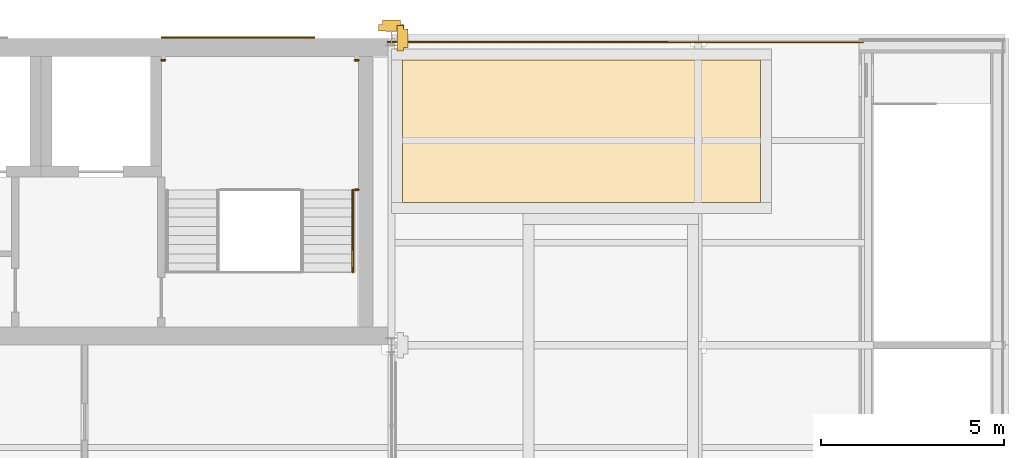
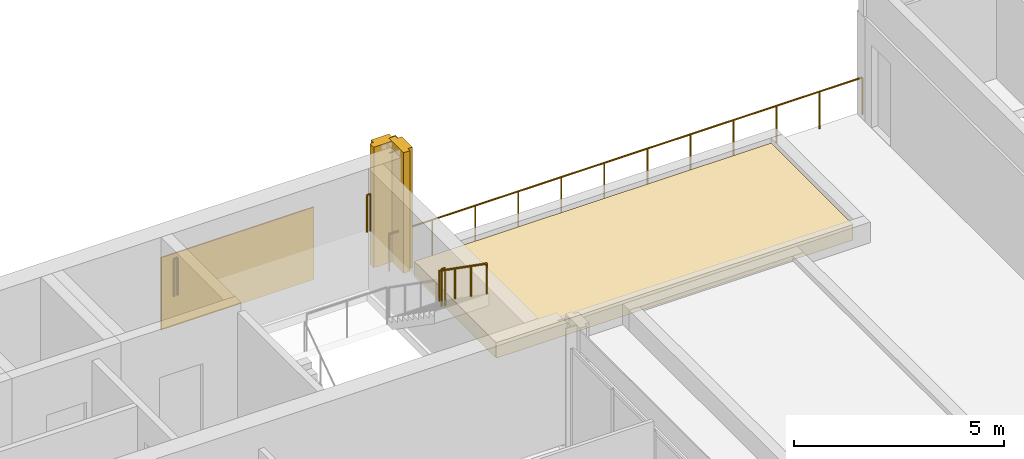
# One storey, part 30 of 32: 5 railings, 4 coverings.
"""IFC4 building model written with IfcOpenShell, lengths in metres."""

from ifc_helpers import new_model, si_unit, direction, frame, origin, origin_2d, place, context, subcontext, project, spatial, polyline, rectangle, circle, outline, extrude, material, layer, layer_set, type_object, element, save


model = new_model("IFC4")

# Units and contexts
model_context = context("Model", 3, precision=1e-05, world=origin(), true_north=direction((0.0, 1.0)))
body_context = subcontext(model_context, "Body", "Model", "MODEL_VIEW")
ifc_project = project(units=[si_unit("LENGTHUNIT", "METRE"), si_unit("AREAUNIT", "SQUARE_METRE"), si_unit("VOLUMEUNIT", "CUBIC_METRE"), si_unit("PLANEANGLEUNIT", "RADIAN"), si_unit("MASSUNIT", "GRAM", prefix="KILO")], contexts=[model_context])

# Site, building, storey
site_placement = place(None, origin())
site = spatial("IfcSite", under=ifc_project, at=site_placement, CompositionType="ELEMENT")
building_placement = place(site_placement, origin())
building = spatial("IfcBuilding", under=site, at=building_placement, Name="Catenary Quay Ferry Terminal", CompositionType="ELEMENT")
storey_placement = place(building_placement, frame((0.0, 0.0, 17.10009765625)))
storey = spatial("IfcBuildingStorey", under=building, at=storey_placement, Name="L03", CompositionType="ELEMENT", Elevation=17.10009765625)

# Coverings
ifc_material_1 = material(Name="Ceramic tile")
ifc_layer_1 = layer(ifc_material_1, 0.0400390625)
ifc_layer_set_1 = layer_set([ifc_layer_1], Name="CL2")
covering_type_1 = type_object("IfcCoveringType", Name="CL2", PredefinedType="CLADDING", material=ifc_layer_set_1)
covering_1_placement = place(storey_placement, origin())
element("IfcCovering", 1, at=covering_1_placement, inside=storey, type_object=covering_type_1, Name="Ceramic pier casing", PredefinedType="CLADDING", context=body_context, shape_type="SweptSolid", body=[
    extrude(outline(polyline([(50.550048828125, 209.64990234375), (50.72998046875, 209.64990234375), (50.72998046875, 209.75), (50.85009765625, 209.75), (50.85009765625, 210.25), (50.72998046875, 210.25), (50.72998046875, 210.35009765625), (50.550048828125, 210.35009765625), (50.550048828125, 209.64990234375)])), origin(), (0.0, 0.0, 1.0), 3.5),
])
covering_2_placement = place(storey_placement, origin())
element("IfcCovering", 2, at=covering_2_placement, inside=storey, type_object=covering_type_1, Name="Ceramic pier casing", PredefinedType="CLADDING", context=body_context, shape_type="SweptSolid", body=[
    extrude(outline(polyline([(50.75, 210.199951171875), (50.75, 210.3798828125), (50.64990234375, 210.3798828125), (50.64990234375, 210.5), (50.14990234375, 210.5), (50.14990234375, 210.3798828125), (50.050048828125, 210.3798828125), (50.050048828125, 210.199951171875), (50.75, 210.199951171875)])), origin(), (0.0, 0.0, 1.0), 3.5),
])
ifc_material_2 = material(Name="Ceramic tile")
ifc_layer_2 = layer(ifc_material_2, 0.034912109375)
ifc_layer_set_2 = layer_set([ifc_layer_2], Name="CL5")
covering_type_2 = type_object("IfcCoveringType", Name="CL5", PredefinedType="CLADDING", material=ifc_layer_set_2)
covering_3_placement = place(storey_placement, frame((46.199951171875, 210.017578125, 0.39990234375), z_axis=(0.0, 0.0, 1.0), x_axis=(1.0, 0.0, 0.0)))
element("IfcCovering", 3, at=covering_3_placement, inside=storey, type_object=covering_type_2, Name="Core h210.0 cladding CV352", PredefinedType="CLADDING", context=body_context, shape_type="SweptSolid", body=[
    extrude(rectangle(XDim=4.199951171875, YDim=0.034912109375, at=origin_2d()), origin(), (0.0, 0.0, 1.0), 2.10009765625),
])

# Railings
ifc_material_3 = material(Name="Steel and glass", Category="steel")
railing_type_1 = type_object("IfcRailingType", Name="GI1", PredefinedType="GUARDRAIL", material=ifc_material_3)
railing_1_placement = place(storey_placement, frame((44.10009765625, 209.39990234375, 1.75)))
element("IfcRailing", 4, at=railing_1_placement, inside=storey, type_object=railing_type_1, Name="HS1 strip 0 guard GI113", PredefinedType="GUARDRAIL", context=body_context, shape_type="SweptSolid", body=[
    extrude(circle(Radius=0.02392578125, at=origin_2d()), frame((0.0, 0.0, 1.076171875), z_axis=(1.0, 0.0, 0.0), x_axis=(0.0, 1.0, 0.0)), (0.0, 0.0, 1.0), 0.099853515625),
    extrude(circle(Radius=0.02099609375, at=origin_2d()), origin(), (0.0, 0.0, 1.0), 1.052001953125),
    extrude(circle(Radius=0.02099609375, at=origin_2d()), frame((0.099853515625, 0.0, 0.0)), (0.0, 0.0, 1.0), 1.052001953125),
])
railing_2_placement = place(storey_placement, frame((49.5, 205.85009765625, 1.75)))
element("IfcRailing", 5, at=railing_2_placement, inside=storey, type_object=railing_type_1, Name="HS1 strip 0 guard GI114", PredefinedType="GUARDRAIL", context=body_context, shape_type="SweptSolid", body=[
    extrude(circle(Radius=0.02392578125, at=origin_2d()), frame((0.0, 0.0, 1.076171875), z_axis=(-1.0, 0.0, 0.0), x_axis=(0.0, -1.0, 0.0)), (0.0, 0.0, 1.0), 0.099853515625),
    extrude(circle(Radius=0.02099609375, at=origin_2d()), origin(), (0.0, 0.0, 1.0), 1.052001953125),
    extrude(circle(Radius=0.02099609375, at=origin_2d()), frame((-0.099853515625, 0.0, 0.0)), (0.0, 0.0, 1.0), 1.052001953125),
])
railing_3_placement = place(storey_placement, frame((49.400146484375, 209.39990234375, 1.75)))
element("IfcRailing", 6, at=railing_3_placement, inside=storey, type_object=railing_type_1, Name="HS1 strip 0 guard GI115", PredefinedType="GUARDRAIL", context=body_context, shape_type="SweptSolid", body=[
    extrude(circle(Radius=0.02392578125, at=origin_2d()), frame((0.0, 0.0, 1.076171875), z_axis=(1.0, 0.0, 0.0), x_axis=(0.0, 1.0, 0.0)), (0.0, 0.0, 1.0), 0.099853515625),
    extrude(circle(Radius=0.02099609375, at=origin_2d()), origin(), (0.0, 0.0, 1.0), 1.052001953125),
    extrude(circle(Radius=0.02099609375, at=origin_2d()), frame((0.099853515625, 0.0, 0.0)), (0.0, 0.0, 1.0), 1.052001953125),
])
ifc_material_4 = material(Name="Steel", Category="steel")
railing_type_2 = type_object("IfcRailingType", Name="GT1", PredefinedType="GUARDRAIL", material=ifc_material_4)
railing_4_placement = place(storey_placement, frame((50.300048828125, 209.89990234375, 0.0)))
element("IfcRailing", 7, at=railing_4_placement, inside=storey, type_object=railing_type_2, Name="Terrace guard GR27", PredefinedType="GUARDRAIL", context=body_context, shape_type="SweptSolid", body=[
    extrude(circle(Radius=0.02392578125, at=origin_2d()), frame((0.0, 0.0, 1.076171875), z_axis=(1.0, 0.0, 0.0), x_axis=(0.0, 1.0, 0.0)), (0.0, 0.0, 1.0), 13.0),
    extrude(circle(Radius=0.02099609375, at=origin_2d()), origin(), (0.0, 0.0, 1.0), 1.052001953125),
    extrude(circle(Radius=0.02099609375, at=origin_2d()), frame((1.181884765625, 0.0, 0.0)), (0.0, 0.0, 1.0), 1.052001953125),
    extrude(circle(Radius=0.02099609375, at=origin_2d()), frame((2.363525390625, 0.0, 0.0)), (0.0, 0.0, 1.0), 1.052001953125),
    extrude(circle(Radius=0.02099609375, at=origin_2d()), frame((3.54541015625, 0.0, 0.0)), (0.0, 0.0, 1.0), 1.052001953125),
    extrude(circle(Radius=0.02099609375, at=origin_2d()), frame((4.727294921875, 0.0, 0.0)), (0.0, 0.0, 1.0), 1.052001953125),
    extrude(circle(Radius=0.02099609375, at=origin_2d()), frame((5.9091796875, 0.0, 0.0)), (0.0, 0.0, 1.0), 1.052001953125),
    extrude(circle(Radius=0.02099609375, at=origin_2d()), frame((7.0908203125, 0.0, 0.0)), (0.0, 0.0, 1.0), 1.052001953125),
    extrude(circle(Radius=0.02099609375, at=origin_2d()), frame((8.272705078125, 0.0, 0.0)), (0.0, 0.0, 1.0), 1.052001953125),
    extrude(circle(Radius=0.02099609375, at=origin_2d()), frame((9.45458984375, 0.0, 0.0)), (0.0, 0.0, 1.0), 1.052001953125),
    extrude(circle(Radius=0.02099609375, at=origin_2d()), frame((10.636474609375, 0.0, 0.0)), (0.0, 0.0, 1.0), 1.052001953125),
    extrude(circle(Radius=0.02099609375, at=origin_2d()), frame((11.818115234375, 0.0, 0.0)), (0.0, 0.0, 1.0), 1.052001953125),
    extrude(circle(Radius=0.02099609375, at=origin_2d()), frame((13.0, 0.0, 0.0)), (0.0, 0.0, 1.0), 1.052001953125),
])
ifc_material_5 = material(Name="Stainless steel", Category="steel")
railing_type_3 = type_object("IfcRailingType", Name="HR1", PredefinedType="HANDRAIL", material=ifc_material_5)
railing_5_placement = place(storey_placement, frame((49.340087890625, 205.85009765625, 1.9248046875)))
element("IfcRailing", 8, at=railing_5_placement, inside=storey, type_object=railing_type_3, Name="HS1 F2B handrail HR110", PredefinedType="HANDRAIL", context=body_context, shape_type="SweptSolid", body=[
    extrude(circle(Radius=0.02392578125, at=origin_2d()), frame((0.0, 0.0, 0.8759765625), z_axis=(0.0, -0.819198511285, 0.573510068881), x_axis=(1.0, 0.0, 0.0)), (0.0, 0.0, 1.0), 2.74658203125),
    extrude(circle(Radius=0.02099609375, at=origin_2d()), origin(), (0.0, 0.0, 1.0), 0.851806640625),
    extrude(circle(Radius=0.02099609375, at=origin_2d()), frame((0.0, -0.75, 0.525146484375)), (0.0, 0.0, 1.0), 0.851806640625),
    extrude(circle(Radius=0.02099609375, at=origin_2d()), frame((0.0, -1.5, 1.050048828125)), (0.0, 0.0, 1.0), 0.851806640625),
    extrude(circle(Radius=0.02099609375, at=origin_2d()), frame((0.0, -2.25, 1.5751953125)), (0.0, 0.0, 1.0), 0.851806640625),
])

# Covering
ifc_material_6 = material(Name="Planting soil")
ifc_layer_3 = layer(ifc_material_6, 0.449951171875)
ifc_layer_set_3 = layer_set([ifc_layer_3], Name="SO1")
covering_type_3 = type_object("IfcCoveringType", Name="SO1", PredefinedType="FLOORING", material=ifc_layer_set_3)
covering_4_placement = place(storey_placement, frame((55.60009765625, 207.449951171875, 0.0), z_axis=(0.0, 0.0, 1.0), x_axis=(1.0, 0.0, 0.0)))
element("IfcCovering", 9, at=covering_4_placement, inside=storey, type_object=covering_type_3, Name="Planting soil bed", PredefinedType="FLOORING", context=body_context, shape_type="SweptSolid", body=[
    extrude(rectangle(XDim=9.800048828125, YDim=3.89990234375, at=origin_2d()), origin(), (0.0, 0.0, 1.0), 0.449951171875),
])

save(model, "model.ifc")
